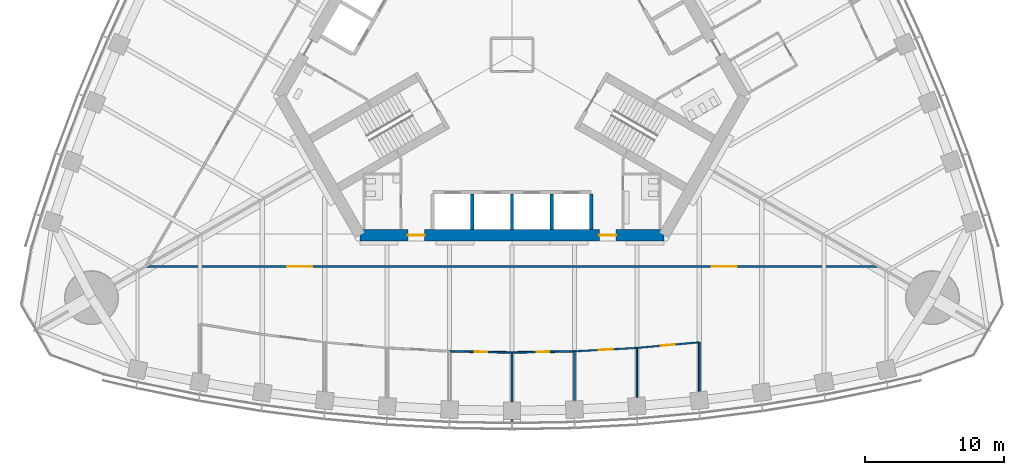
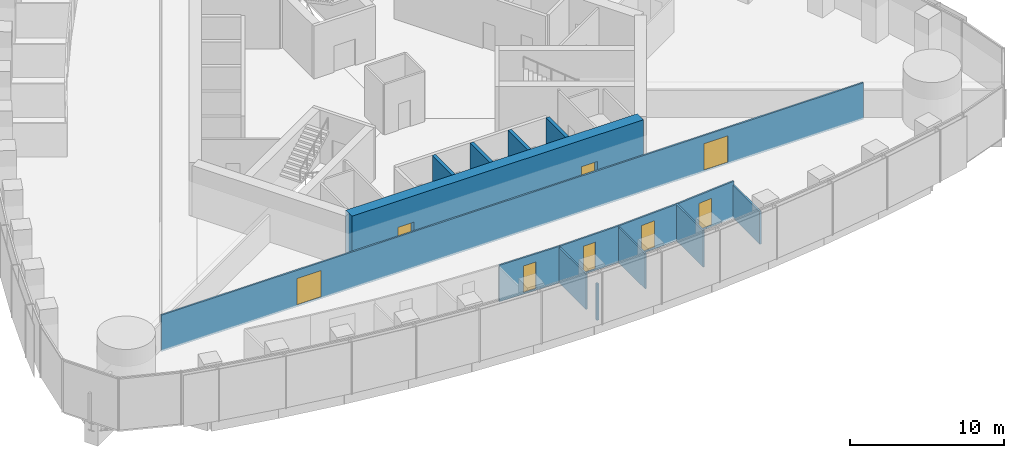
# One storey, part 12 of 21: 15 walls, 8 doors, 8 openings.
"""IFC4 building model written with IfcOpenShell, lengths in metres."""

from ifc_helpers import new_model, si_unit, direction, frame, frame_2d, origin, place, context, subcontext, project, spatial, rectangle, extrude, material, layer, layer_set, type_object, element, fill, save


model = new_model("IFC4")

# Units and contexts
model_context = context("Model", 3, precision=1e-05, world=origin(), true_north=direction((0.0, 1.0)))
body_context = subcontext(model_context, "Body", "Model", "MODEL_VIEW")
ifc_project = project(units=[si_unit("LENGTHUNIT", "METRE"), si_unit("AREAUNIT", "SQUARE_METRE"), si_unit("VOLUMEUNIT", "CUBIC_METRE"), si_unit("PLANEANGLEUNIT", "RADIAN"), si_unit("MASSUNIT", "GRAM", prefix="KILO")], contexts=[model_context])

# Site, building, storey
site_placement = place(None, origin())
site = spatial("IfcSite", under=ifc_project, at=site_placement, CompositionType="ELEMENT")
building_placement = place(site_placement, origin())
building = spatial("IfcBuilding", under=site, at=building_placement, Name="Trefoil Bronze Tower", CompositionType="ELEMENT")
storey_placement = place(building_placement, frame((0.0, 0.0, 153.5)))
storey = spatial("IfcBuildingStorey", under=building, at=storey_placement, Name="L35", CompositionType="ELEMENT", Elevation=153.5)

# Wall, openings, doors
ifc_material_1 = material(Name="Concrete B80", Category="concrete")
ifc_layer_1 = layer(ifc_material_1, 0.800048828125)
ifc_layer_set_1 = layer_set([ifc_layer_1], Name="Core wall 800")
wall_type_1 = type_object("IfcWallType", Name="Core wall 800", PredefinedType="SHEAR", material=ifc_layer_set_1)
wall_1_placement = place(storey_placement, frame((-10.9697265625, -13.0, 0.0), z_axis=(0.0, 0.0, 1.0), x_axis=(1.0, 0.0, 0.0)))
wall_1 = element("IfcWall", 1, at=wall_1_placement, inside=storey, type_object=wall_type_1, Name="Core long wall 1 L35", PredefinedType="SHEAR", context=body_context, shape_type="SweptSolid", body=[
    extrude(rectangle(XDim=21.939453125, YDim=0.800048828125, at=frame_2d((10.9697265625, 0.0))), origin(), (0.0, 0.0, 1.0), 4.199951171875),
])
opening_1_placement = place(wall_1_placement, frame((17.269775390625, 0.0, 0.0)))
opening_1 = element("IfcOpeningElement", 2, at=opening_1_placement, cuts=wall_1, Name="Opening D2", PredefinedType="OPENING", context=body_context, shape_type="SweptSolid", body=[
    extrude(rectangle(XDim=1.199951171875, YDim=2.10009765625, at=frame_2d((0.60009765625, 1.050048828125))), frame((0.0, 0.409912109375, 0.0), z_axis=(0.0, -1.0, 0.0), x_axis=(1.0, 0.0, 0.0)), (0.0, 0.0, 1.0), 0.820068359375),
])
opening_2_placement = place(wall_1_placement, frame((3.4697265625, 0.0, 0.0)))
opening_2 = element("IfcOpeningElement", 3, at=opening_2_placement, cuts=wall_1, Name="Opening D2", PredefinedType="OPENING", context=body_context, shape_type="SweptSolid", body=[
    extrude(rectangle(XDim=1.199951171875, YDim=2.10009765625, at=frame_2d((0.60009765625, 1.050048828125))), frame((0.0, 0.409912109375, 0.0), z_axis=(0.0, -1.0, 0.0), x_axis=(1.0, 0.0, 0.0)), (0.0, 0.0, 1.0), 0.820068359375),
])
ifc_material_2 = material(Name="Steel door", Category="steel")
door_type_1 = type_object("IfcDoorType", Name="Lobby door 1200", OperationType="SINGLE_SWING_RIGHT", PredefinedType="DOOR", material=ifc_material_2)
door_1_placement = place(opening_1_placement, origin())
door_1 = element("IfcDoor", 4, at=door_1_placement, inside=storey, type_object=door_type_1, Name="Lobby door F1+ L35", OperationType="SINGLE_SWING_RIGHT", OverallHeight=2.10009765625, OverallWidth=1.199951171875, PredefinedType="DOOR", context=body_context, shape_type="SweptSolid", body=[
    extrude(rectangle(XDim=1.199951171875, YDim=2.10009765625, at=frame_2d((0.60009765625, 1.050048828125))), frame((0.0, 0.02490234375, 0.0), z_axis=(0.0, -1.0, 0.0), x_axis=(1.0, 0.0, 0.0)), (0.0, 0.0, 1.0), 0.050048828125),
])
fill(opening_1, door_1)
door_2_placement = place(opening_2_placement, origin())
door_2 = element("IfcDoor", 5, at=door_2_placement, inside=storey, type_object=door_type_1, Name="Lobby door F1- L35", OperationType="SINGLE_SWING_LEFT", OverallHeight=2.10009765625, OverallWidth=1.199951171875, PredefinedType="DOOR", context=body_context, shape_type="SweptSolid", body=[
    extrude(rectangle(XDim=1.199951171875, YDim=2.10009765625, at=frame_2d((0.60009765625, 1.050048828125))), frame((0.0, 0.02490234375, 0.0), z_axis=(0.0, -1.0, 0.0), x_axis=(1.0, 0.0, 0.0)), (0.0, 0.0, 1.0), 0.050048828125),
])
fill(opening_2, door_2)

ifc_material_3 = material(Name="Glazed partition", Category="glass")
ifc_layer_2 = layer(ifc_material_3, 0.1201171875)
ifc_layer_set_2 = layer_set([ifc_layer_2], Name="Glazed partition 120")
wall_type_2 = type_object("IfcWallType", Name="Glazed partition 120", PredefinedType="PARTITIONING", material=ifc_layer_set_2)
wall_2_placement = place(storey_placement, frame((-26.398193359375, -15.260009765625, 0.0), z_axis=(0.0, 0.0, 1.0), x_axis=(1.0, 0.0, 0.0)))
wall_2 = element("IfcWall", 6, at=wall_2_placement, inside=storey, type_object=wall_type_2, Name="Partition F1 L35", PredefinedType="PARTITIONING", context=body_context, shape_type="SweptSolid", body=[
    extrude(rectangle(XDim=52.79638671875, YDim=0.1201171875, at=frame_2d((26.398193359375, 0.0))), origin(), (0.0, 0.0, 1.0), 2.89990234375),
])
opening_3_placement = place(wall_2_placement, frame((10.199951171875, 0.0, 0.14990234375)))
opening_3 = element("IfcOpeningElement", 7, at=opening_3_placement, cuts=wall_2, Name="Opening D10", PredefinedType="OPENING", context=body_context, shape_type="SweptSolid", body=[
    extrude(rectangle(XDim=1.800048828125, YDim=2.10009765625, at=frame_2d((0.89990234375, 1.050048828125))), frame((0.0, 0.070068359375, 0.0), z_axis=(0.0, -1.0, 0.0), x_axis=(1.0, 0.0, 0.0)), (0.0, 0.0, 1.0), 0.14013671875),
])
opening_4_placement = place(wall_2_placement, frame((40.800048828125, 0.0, 0.14990234375)))
opening_4 = element("IfcOpeningElement", 8, at=opening_4_placement, cuts=wall_2, Name="Opening D10", PredefinedType="OPENING", context=body_context, shape_type="SweptSolid", body=[
    extrude(rectangle(XDim=1.800048828125, YDim=2.10009765625, at=frame_2d((0.89990234375, 1.050048828125))), frame((0.0, 0.070068359375, 0.0), z_axis=(0.0, -1.0, 0.0), x_axis=(1.0, 0.0, 0.0)), (0.0, 0.0, 1.0), 0.14013671875),
])
ifc_material_4 = material(Name="Timber door", Category="wood")
door_type_2 = type_object("IfcDoorType", Name="Double door 1800", OperationType="DOUBLE_DOOR_SINGLE_SWING", PredefinedType="DOOR", material=ifc_material_4)
door_3_placement = place(opening_3_placement, origin())
door_3 = element("IfcDoor", 9, at=door_3_placement, inside=storey, type_object=door_type_2, Name="Corridor door F1 L35", OperationType="DOUBLE_DOOR_SINGLE_SWING", OverallHeight=2.10009765625, OverallWidth=1.800048828125, PredefinedType="DOOR", context=body_context, shape_type="SweptSolid", body=[
    extrude(rectangle(XDim=1.800048828125, YDim=2.10009765625, at=frame_2d((0.89990234375, 1.050048828125))), frame((0.0, 0.02490234375, 0.0), z_axis=(0.0, -1.0, 0.0), x_axis=(1.0, 0.0, 0.0)), (0.0, 0.0, 1.0), 0.050048828125),
])
fill(opening_3, door_3)
door_4_placement = place(opening_4_placement, origin())
door_4 = element("IfcDoor", 10, at=door_4_placement, inside=storey, type_object=door_type_2, Name="Corridor door F1 L35", OperationType="DOUBLE_DOOR_SINGLE_SWING", OverallHeight=2.10009765625, OverallWidth=1.800048828125, PredefinedType="DOOR", context=body_context, shape_type="SweptSolid", body=[
    extrude(rectangle(XDim=1.800048828125, YDim=2.10009765625, at=frame_2d((0.89990234375, 1.050048828125))), frame((0.0, 0.02490234375, 0.0), z_axis=(0.0, -1.0, 0.0), x_axis=(1.0, 0.0, 0.0)), (0.0, 0.0, 1.0), 0.050048828125),
])
fill(opening_4, door_4)

# Wall, opening, door
wall_3_placement = place(storey_placement, frame((0.0, -21.44970703125, 0.0), z_axis=(0.0, 0.0, 1.0), x_axis=(0.999837820638, 0.018009231578, 0.0)))
wall_3 = element("IfcWall", 11, at=wall_3_placement, inside=storey, type_object=wall_type_2, Name="Partition F1 L35", PredefinedType="PARTITIONING", context=body_context, shape_type="SweptSolid", body=[
    extrude(rectangle(XDim=4.500732421875, YDim=0.1201171875, at=frame_2d((2.25048828125, 0.0))), origin(), (0.0, 0.0, 1.0), 2.89990234375),
])
opening_5_placement = place(wall_3_placement, frame((1.800048828125, 0.0, 0.14990234375)))
opening_5 = element("IfcOpeningElement", 12, at=opening_5_placement, cuts=wall_3, Name="Opening D8", PredefinedType="OPENING", context=body_context, shape_type="SweptSolid", body=[
    extrude(rectangle(XDim=0.89990234375, YDim=2.10009765625, at=frame_2d((0.449951171875, 1.050048828125))), frame((0.0, 0.070068359375, 0.0), z_axis=(0.0, -1.0, 0.0), x_axis=(1.0, 0.0, 0.0)), (0.0, 0.0, 1.0), 0.14013671875),
])
ifc_material_5 = material(Name="Timber door", Category="wood")
door_type_3 = type_object("IfcDoorType", Name="Office door 900", OperationType="SINGLE_SWING_LEFT", PredefinedType="DOOR", material=ifc_material_5)
door_5_placement = place(opening_5_placement, frame((0.89990234375, 0.0, 0.0), z_axis=(0.0, 0.0, 1.0), x_axis=(-1.0, 0.0, 0.0)))
door_5 = element("IfcDoor", 13, at=door_5_placement, inside=storey, type_object=door_type_3, Name="Office door F1 L35", OperationType="SINGLE_SWING_RIGHT", OverallHeight=2.10009765625, OverallWidth=0.89990234375, PredefinedType="DOOR", context=body_context, shape_type="SweptSolid", body=[
    extrude(rectangle(XDim=0.89990234375, YDim=2.10009765625, at=frame_2d((0.449951171875, 1.050048828125))), frame((0.0, 0.02490234375, 0.0), z_axis=(0.0, -1.0, 0.0), x_axis=(1.0, 0.0, 0.0)), (0.0, 0.0, 1.0), 0.050048828125),
])
fill(opening_5, door_5)

wall_4_placement = place(storey_placement, frame((4.5, -21.36865234375, 0.0), z_axis=(0.0, 0.0, 1.0), x_axis=(0.998537376538, 0.054065771581, 0.0)))
wall_4 = element("IfcWall", 14, at=wall_4_placement, inside=storey, type_object=wall_type_2, Name="Partition F1 L35", PredefinedType="PARTITIONING", context=body_context, shape_type="SweptSolid", body=[
    extrude(rectangle(XDim=4.506591796875, YDim=0.1201171875, at=frame_2d((2.25341796875, 0.0))), origin(), (0.0, 0.0, 1.0), 2.89990234375),
])
opening_6_placement = place(wall_4_placement, frame((1.75, 0.0, 0.14990234375)))
opening_6 = element("IfcOpeningElement", 15, at=opening_6_placement, cuts=wall_4, Name="Opening D9", PredefinedType="OPENING", context=body_context, shape_type="SweptSolid", body=[
    extrude(rectangle(XDim=1.0, YDim=2.10009765625, at=frame_2d((0.5, 1.050048828125))), frame((0.0, 0.070068359375, 0.0), z_axis=(0.0, -1.0, 0.0), x_axis=(1.0, 0.0, 0.0)), (0.0, 0.0, 1.0), 0.14013671875),
])
ifc_material_6 = material(Name="Glazed timber door", Category="wood")
door_type_4 = type_object("IfcDoorType", Name="Meeting room door 1000", OperationType="SINGLE_SWING_LEFT", PredefinedType="DOOR", material=ifc_material_6)
door_6_placement = place(opening_6_placement, frame((1.0, 0.0, 0.0), z_axis=(0.0, 0.0, 1.0), x_axis=(-1.0, 0.0, 0.0)))
door_6 = element("IfcDoor", 16, at=door_6_placement, inside=storey, type_object=door_type_4, Name="Meeting room door F1 L35", OperationType="SINGLE_SWING_RIGHT", OverallHeight=2.10009765625, OverallWidth=1.0, PredefinedType="DOOR", context=body_context, shape_type="SweptSolid", body=[
    extrude(rectangle(XDim=1.0, YDim=2.10009765625, at=frame_2d((0.5, 1.050048828125))), frame((0.0, 0.02490234375, 0.0), z_axis=(0.0, -1.0, 0.0), x_axis=(1.0, 0.0, 0.0)), (0.0, 0.0, 1.0), 0.050048828125),
])
fill(opening_6, door_6)

wall_5_placement = place(storey_placement, frame((9.0, -21.125, 0.0), z_axis=(0.0, 0.0, 1.0), x_axis=(0.995930325215, 0.090126507295, 0.0)))
wall_5 = element("IfcWall", 17, at=wall_5_placement, inside=storey, type_object=wall_type_2, Name="Partition F1 L35", PredefinedType="PARTITIONING", context=body_context, shape_type="SweptSolid", body=[
    extrude(rectangle(XDim=4.518310546875, YDim=0.1201171875, at=frame_2d((2.25927734375, 0.0))), origin(), (0.0, 0.0, 1.0), 2.89990234375),
])
opening_7_placement = place(wall_5_placement, frame((1.75, 0.0, 0.14990234375)))
opening_7 = element("IfcOpeningElement", 18, at=opening_7_placement, cuts=wall_5, Name="Opening D9", PredefinedType="OPENING", context=body_context, shape_type="SweptSolid", body=[
    extrude(rectangle(XDim=1.0, YDim=2.10009765625, at=frame_2d((0.5, 1.050048828125))), frame((0.0, 0.070068359375, 0.0), z_axis=(0.0, -1.0, 0.0), x_axis=(1.0, 0.0, 0.0)), (0.0, 0.0, 1.0), 0.14013671875),
])
door_7_placement = place(opening_7_placement, frame((1.0, 0.0, 0.0), z_axis=(0.0, 0.0, 1.0), x_axis=(-1.0, 0.0, 0.0)))
door_7 = element("IfcDoor", 19, at=door_7_placement, inside=storey, type_object=door_type_4, Name="Meeting room door F1 L35", OperationType="SINGLE_SWING_RIGHT", OverallHeight=2.10009765625, OverallWidth=1.0, PredefinedType="DOOR", context=body_context, shape_type="SweptSolid", body=[
    extrude(rectangle(XDim=1.0, YDim=2.10009765625, at=frame_2d((0.5, 1.050048828125))), frame((0.0, 0.02490234375, 0.0), z_axis=(0.0, -1.0, 0.0), x_axis=(1.0, 0.0, 0.0)), (0.0, 0.0, 1.0), 0.050048828125),
])
fill(opening_7, door_7)

wall_6_placement = place(storey_placement, frame((-4.5, -21.36865234375, 0.0), z_axis=(0.0, 0.0, 1.0), x_axis=(0.999837820638, -0.018009231578, 0.0)))
wall_6 = element("IfcWall", 20, at=wall_6_placement, inside=storey, type_object=wall_type_2, Name="Partition F1 L35", PredefinedType="PARTITIONING", context=body_context, shape_type="SweptSolid", body=[
    extrude(rectangle(XDim=4.500732421875, YDim=0.1201171875, at=frame_2d((2.25048828125, 0.0))), origin(), (0.0, 0.0, 1.0), 2.89990234375),
])
opening_8_placement = place(wall_6_placement, frame((1.800048828125, 0.0, 0.14990234375)))
opening_8 = element("IfcOpeningElement", 21, at=opening_8_placement, cuts=wall_6, Name="Opening D8", PredefinedType="OPENING", context=body_context, shape_type="SweptSolid", body=[
    extrude(rectangle(XDim=0.89990234375, YDim=2.10009765625, at=frame_2d((0.449951171875, 1.050048828125))), frame((0.0, 0.070068359375, 0.0), z_axis=(0.0, -1.0, 0.0), x_axis=(1.0, 0.0, 0.0)), (0.0, 0.0, 1.0), 0.14013671875),
])
door_8_placement = place(opening_8_placement, frame((0.89990234375, 0.0, 0.0), z_axis=(0.0, 0.0, 1.0), x_axis=(-1.0, 0.0, 0.0)))
door_8 = element("IfcDoor", 22, at=door_8_placement, inside=storey, type_object=door_type_3, Name="Office door F1 L35", OperationType="SINGLE_SWING_RIGHT", OverallHeight=2.10009765625, OverallWidth=0.89990234375, PredefinedType="DOOR", context=body_context, shape_type="SweptSolid", body=[
    extrude(rectangle(XDim=0.89990234375, YDim=2.10009765625, at=frame_2d((0.449951171875, 1.050048828125))), frame((0.0, 0.02490234375, 0.0), z_axis=(0.0, -1.0, 0.0), x_axis=(1.0, 0.0, 0.0)), (0.0, 0.0, 1.0), 0.050048828125),
])
fill(opening_8, door_8)

# Walls
wall_7_placement = place(storey_placement, frame((0.0, -21.44970703125, 0.0), z_axis=(0.0, 0.0, 1.0), x_axis=(0.0, -1.0, 0.0)))
element("IfcWall", 23, at=wall_7_placement, inside=storey, type_object=wall_type_2, Name="Partition F1 L35", PredefinedType="PARTITIONING", context=body_context, shape_type="SweptSolid", body=[
    extrude(rectangle(XDim=3.544921875, YDim=0.1201171875, at=frame_2d((1.7724609375, 0.0))), origin(), (0.0, 0.0, 1.0), 2.800048828125),
])
wall_8_placement = place(storey_placement, frame((13.5, -20.7177734375, 0.0), z_axis=(0.0, 0.0, 1.0), x_axis=(0.0, -1.0, 0.0)))
element("IfcWall", 24, at=wall_8_placement, inside=storey, type_object=wall_type_2, Name="Partition F1 L35", PredefinedType="PARTITIONING", context=body_context, shape_type="SweptSolid", body=[
    extrude(rectangle(XDim=3.53662109375, YDim=0.1201171875, at=frame_2d((1.768310546875, 0.0))), origin(), (0.0, 0.0, 1.0), 2.60009765625),
])
wall_9_placement = place(storey_placement, frame((4.5, -21.36865234375, 0.0), z_axis=(0.0, 0.0, 1.0), x_axis=(0.0, -1.0, 0.0)))
element("IfcWall", 25, at=wall_9_placement, inside=storey, type_object=wall_type_2, Name="Partition F1 L35", PredefinedType="PARTITIONING", context=body_context, shape_type="SweptSolid", body=[
    extrude(rectangle(XDim=3.5439453125, YDim=0.1201171875, at=frame_2d((1.77197265625, 0.0))), origin(), (0.0, 0.0, 1.0), 2.800048828125),
])
wall_10_placement = place(storey_placement, frame((9.0, -21.125, 0.0), z_axis=(0.0, 0.0, 1.0), x_axis=(0.0, -1.0, 0.0)))
element("IfcWall", 26, at=wall_10_placement, inside=storey, type_object=wall_type_2, Name="Partition F1 L35", PredefinedType="PARTITIONING", context=body_context, shape_type="SweptSolid", body=[
    extrude(rectangle(XDim=3.541259765625, YDim=0.1201171875, at=frame_2d((1.7705078125, 0.0))), origin(), (0.0, 0.0, 1.0), 2.89990234375),
])
ifc_material_7 = material(Name="Gypsum board on steel studs", Category="steel")
ifc_layer_3 = layer(ifc_material_7, 0.14990234375)
ifc_layer_set_3 = layer_set([ifc_layer_3], Name="Partition 150")
wall_type_3 = type_object("IfcWallType", Name="Partition 150", PredefinedType="PARTITIONING", material=ifc_layer_set_3)
wall_11_placement = place(storey_placement, frame((0.0, -26.278564453125, 0.0), z_axis=(0.0, 0.0, 1.0), x_axis=(0.0, -1.0, 0.0)))
element("IfcWall", 27, at=wall_11_placement, inside=storey, type_object=wall_type_3, Name="Partition F1 L35", PredefinedType="PARTITIONING", context=body_context, shape_type="SweptSolid", body=[
    extrude(rectangle(XDim=0.166015625, YDim=0.14990234375, at=frame_2d((0.0830078125, 0.0))), origin(), (0.0, 0.0, 1.0), 2.89990234375),
])
ifc_material_8 = material(Name="Concrete B80", Category="concrete")
ifc_layer_4 = layer(ifc_material_8, 0.25)
ifc_layer_set_4 = layer_set([ifc_layer_4], Name="Shaft wall 250")
wall_type_4 = type_object("IfcWallType", Name="Shaft wall 250", PredefinedType="SHEAR", material=ifc_layer_set_4)
for number, where, z_axis, x_axis, name in (
    (28, (-2.85009765625, -10.02490234375, 0.0), (0.0, 0.0, 1.0), (0.0, -1.0, 0.0), "Lift shaft side wall A1 L35"),
    (29, (0.0, -10.02490234375, 0.0), (0.0, 0.0, 1.0), (0.0, -1.0, 0.0), "Lift shaft side wall A2 L35"),
    (30, (2.85009765625, -10.02490234375, 0.0), (0.0, 0.0, 1.0), (0.0, -1.0, 0.0), "Lift shaft side wall A3 L35"),
    (31, (5.699951171875, -10.02490234375, 0.0), (0.0, 0.0, 1.0), (0.0, -1.0, 0.0), "Lift shaft side wall A4 L35"),
):
    element("IfcWall", number, at=place(storey_placement, frame(where, z_axis=z_axis, x_axis=x_axis)), inside=storey, type_object=wall_type_4, Name=name, PredefinedType="SHEAR", context=body_context, shape_type="SweptSolid", body=[
        extrude(rectangle(XDim=2.5751953125, YDim=0.25, at=frame_2d((1.28759765625, 0.0))), origin(), (0.0, 0.0, 1.0), 4.199951171875),
    ])

save(model, "model.ifc")
